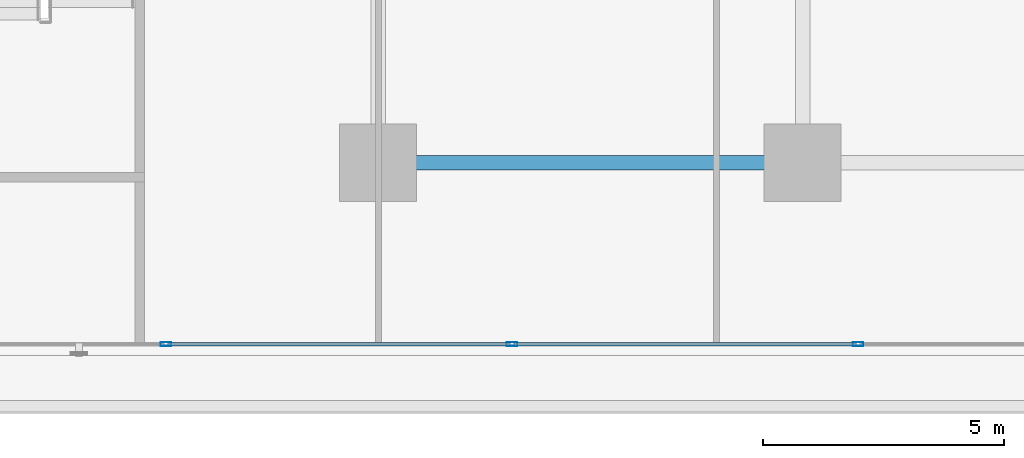
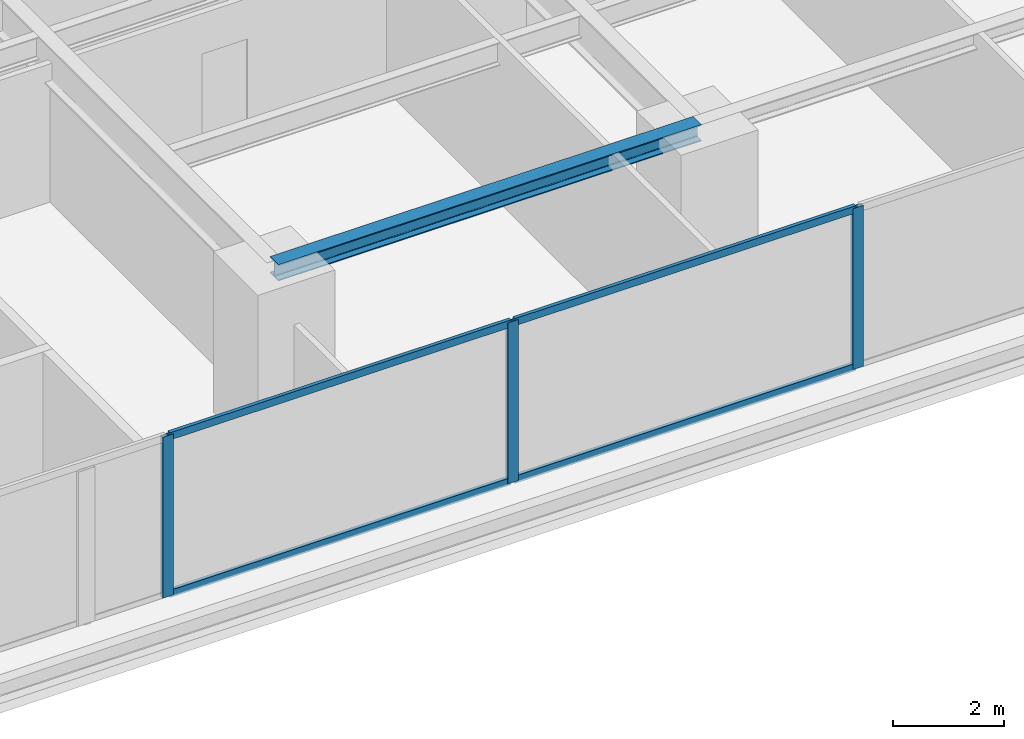
# One storey, part 9 of 29: 7 members, 1 beam, 1 element without a shape of its own.
"""IFC4 building model written with IfcOpenShell, lengths in metres."""

import ifcopenshell
import ifcopenshell.guid

model = None  # the IFC model being written
_history = None  # IfcOwnerHistory: only IFC2X3 demands one
_inside = {}  # id of a spatial element -> (the spatial element, [elements in it])
_under = {}  # id of a project, library or spatial element -> (it, [spatial elements below it])
_declared = {}  # id of a project -> (the project, [libraries it declares])
_typed = {}  # id of a type object -> (the type object, [elements of that type])
_made_of = {}  # id of a material, layer set ... -> (it, [elements and type objects made of it])


def new_model(schema):
    """Start an empty IFC model of exactly this schema.

    Asked for "IFC4X3", IfcOpenShell would pick the latest addendum, in which some entities
    have other attributes; the version numbers below select the first issue.
    IFC2X3 requires an IfcOwnerHistory on every rooted entity: one is made here for all.
    """
    global model, _history
    if schema == "IFC4X3":
        model = ifcopenshell.file(schema_version=(4, 3, 0, 0))
    else:
        model = ifcopenshell.file(schema=schema)
    _inside.clear()
    _under.clear()
    _declared.clear()
    _typed.clear()
    _made_of.clear()
    _history = None
    if model.schema == "IFC2X3":
        org = make("IfcOrganization", Name="unknown")
        user = make(
            "IfcPersonAndOrganization",
            ThePerson=make("IfcPerson", FamilyName="unknown"),
            TheOrganization=org,
        )
        app = make(
            "IfcApplication",
            ApplicationDeveloper=org,
            Version="unknown",
            ApplicationFullName="unknown",
            ApplicationIdentifier="unknown",
        )
        _history = make(
            "IfcOwnerHistory",
            OwningUser=user,
            OwningApplication=app,
            ChangeAction="ADDED",
            CreationDate=0,
        )
    return model


def make(cls, **values):
    """One entity of the class cls with the attributes given. An attribute that is None is left unset."""
    return model.create_entity(
        cls, **{name: value for name, value in values.items() if value is not None}
    )


def rooted(cls, **values):
    """An entity with a GlobalId (a new one), such as an element, a storey or a relation."""
    return make(cls, GlobalId=ifcopenshell.guid.new(), OwnerHistory=_history, **values)


def si_unit(unit_type, name, prefix=None):
    """IfcSIUnit, for example si_unit("LENGTHUNIT", "METRE", prefix="MILLI")."""
    return make("IfcSIUnit", UnitType=unit_type, Prefix=prefix, Name=name)


def assignment(units):
    """IfcUnitAssignment: the units of a project."""
    return None if units is None else make("IfcUnitAssignment", Units=units)


def point(xyz):
    """IfcCartesianPoint."""
    return None if xyz is None else make("IfcCartesianPoint", Coordinates=xyz)


def direction(xyz):
    """IfcDirection."""
    return None if xyz is None else make("IfcDirection", DirectionRatios=xyz)


def frame(location, z_axis=None, x_axis=None):
    """IfcAxis2Placement3D, a coordinate frame: its origin and axes. An axis left out is left unset."""
    return make(
        "IfcAxis2Placement3D",
        Location=point(location),
        Axis=direction(z_axis),
        RefDirection=direction(x_axis),
    )


def frame_2d(location, x_axis=None):
    """IfcAxis2Placement2D, a coordinate frame in the plane: its origin and x axis."""
    return make(
        "IfcAxis2Placement2D", Location=point(location), RefDirection=direction(x_axis)
    )


def origin():
    """The frame at (0, 0, 0) with its axes left unset."""
    return frame((0.0, 0.0, 0.0))


def origin_with_axes():
    """The frame at (0, 0, 0) with the z axis (0, 0, 1) and the x axis (1, 0, 0) written out."""
    return frame((0.0, 0.0, 0.0), z_axis=(0.0, 0.0, 1.0), x_axis=(1.0, 0.0, 0.0))


def origin_2d():
    """The frame at (0, 0) in the plane with its x axis left unset."""
    return frame_2d((0.0, 0.0))


def place(relative_to, where):
    """IfcLocalPlacement: puts the frame where relative to a parent placement (None: the world)."""
    return make(
        "IfcLocalPlacement", PlacementRelTo=relative_to, RelativePlacement=where
    )


def context(
    kind, dimensions, precision=None, world=None, true_north=None, identifier=None
):
    """IfcGeometricRepresentationContext, for example the 3D "Model" context."""
    return make(
        "IfcGeometricRepresentationContext",
        ContextIdentifier=identifier,
        ContextType=kind,
        CoordinateSpaceDimension=dimensions,
        Precision=precision,
        WorldCoordinateSystem=world,
        TrueNorth=true_north,
    )


def subcontext(parent, identifier, kind, view, scale=None):
    """IfcGeometricRepresentationSubContext, for example "Body" below "Model"."""
    return make(
        "IfcGeometricRepresentationSubContext",
        ContextIdentifier=identifier,
        ContextType=kind,
        ParentContext=parent,
        TargetScale=scale,
        TargetView=view,
    )


def project(units=None, contexts=None):
    """IfcProject with its units and contexts."""
    return rooted(
        "IfcProject",
        Name="project",
        RepresentationContexts=contexts,
        UnitsInContext=assignment(units),
    )


def spatial(cls, under=None, at=None, **own):
    """A site, building, storey or space (cls), placed at a placement, below another one or the project."""
    s = rooted(cls, ObjectPlacement=at, **own)
    if under is not None:
        _under.setdefault(under.id(), (under, []))[1].append(s)
    return s


def profile(cls, at=None, kind="AREA", **sizes):
    """A parametric profile (cls). Its sizes go by their IFC names, for example OverallWidth=200.0."""
    return make(cls, ProfileType=kind, Position=at, **sizes)


def hollow_rectangle(**sizes):
    """IfcRectangleHollowProfileDef."""
    return profile("IfcRectangleHollowProfileDef", **sizes)


def i_section(**sizes):
    """IfcIShapeProfileDef."""
    return profile("IfcIShapeProfileDef", **sizes)


def extrude(swept, where, along, depth):
    """IfcExtrudedAreaSolid: the profile swept, set in the frame where, extruded along a direction by depth."""
    return make(
        "IfcExtrudedAreaSolid",
        SweptArea=swept,
        Position=where,
        ExtrudedDirection=direction(along),
        Depth=depth,
    )


def shape(context_of_items, identifier, shape_type, items):
    """IfcShapeRepresentation: the items that make up one representation, for example the "Body"."""
    return make(
        "IfcShapeRepresentation",
        ContextOfItems=context_of_items,
        RepresentationIdentifier=identifier,
        RepresentationType=shape_type,
        Items=items,
    )


def source(mapping_origin, context_of_items, identifier, shape_type, items):
    """IfcRepresentationMap: a shape defined once, which mapped items show again and again."""
    return make(
        "IfcRepresentationMap",
        MappingOrigin=mapping_origin,
        MappedRepresentation=shape(context_of_items, identifier, shape_type, items),
    )


def transform(
    local_origin,
    x_axis=None,
    y_axis=None,
    z_axis=None,
    scale=None,
    scale2=None,
    scale3=None,
    uniform=True,
):
    """IfcCartesianTransformationOperator3D, or its non-uniform kind. x_axis, y_axis, z_axis: its Axis1, 2, 3."""
    if uniform:
        return make(
            "IfcCartesianTransformationOperator3D",
            Axis1=direction(x_axis),
            Axis2=direction(y_axis),
            LocalOrigin=point(local_origin),
            Scale=scale,
            Axis3=direction(z_axis),
        )
    return make(
        "IfcCartesianTransformationOperator3DnonUniform",
        Axis1=direction(x_axis),
        Axis2=direction(y_axis),
        LocalOrigin=point(local_origin),
        Scale=scale,
        Axis3=direction(z_axis),
        Scale2=scale2,
        Scale3=scale3,
    )


def mapped(mapping_source, mapping_target):
    """IfcMappedItem: shows the shape of a source again, moved by a transform."""
    return make(
        "IfcMappedItem", MappingSource=mapping_source, MappingTarget=mapping_target
    )


def material(Name=None, Category=None):
    """IfcMaterial."""
    return make("IfcMaterial", Name=Name, Category=Category)


def layer(
    of_material, thickness, ventilated=None, Name=None, Category=None, Priority=None
):
    """IfcMaterialLayer: one layer of a wall or slab, of a material (None: an air gap)."""
    return make(
        "IfcMaterialLayer",
        Material=of_material,
        LayerThickness=thickness,
        IsVentilated=ventilated,
        Name=Name,
        Category=Category,
        Priority=Priority,
    )


def layer_set(layers, Name=None):
    """IfcMaterialLayerSet."""
    return make("IfcMaterialLayerSet", MaterialLayers=layers, LayerSetName=Name)


def material_profile(
    of_material, cross_section, Name=None, Category=None, Priority=None
):
    """IfcMaterialProfile: a cross section and its material."""
    return make(
        "IfcMaterialProfile",
        Name=Name,
        Material=of_material,
        Profile=cross_section,
        Priority=Priority,
        Category=Category,
    )


def profile_set(profiles, Name=None, composite=None):
    """IfcMaterialProfileSet."""
    return make(
        "IfcMaterialProfileSet",
        Name=Name,
        MaterialProfiles=profiles,
        CompositeProfile=composite,
    )


def made_of(thing, what):
    """Note that an element or type object is made of a material, layer set ...; save() writes the relation."""
    if what is not None:
        _made_of.setdefault(what.id(), (what, []))[1].append(thing)
    return thing


def type_object(cls, material=None, **own):
    """A type object (cls), such as IfcWallType, which elements share."""
    return made_of(rooted(cls, **own), material)


def element(
    cls,
    number,
    at=None,
    inside=None,
    cuts=None,
    type_object=None,
    material=None,
    context=None,
    identifier="Body",
    shape_type=None,
    held_by="IfcProductDefinitionShape",
    body=None,
    shapes=None,
    **own,
):
    """One element of the class cls, such as IfcWall. Its Tag is "e" and its number.

    at: its placement. inside: the storey or other place that contains it. cuts: it is an
    opening in that element (IfcRelVoidsElement). A single representation is given by context,
    identifier, shape_type and body (its items); several are given by shapes. held_by: the class
    of the entity that holds the representations. save() writes the other relations.
    """
    e = rooted(cls, Tag="e%d" % number, ObjectPlacement=at, **own)
    if body is not None:
        shapes = [shape(context, identifier, shape_type, body)]
    if shapes is not None:
        e.Representation = make(held_by, Representations=shapes)
    if inside is not None:
        _inside.setdefault(inside.id(), (inside, []))[1].append(e)
    if cuts is not None:
        rooted(
            "IfcRelVoidsElement", RelatingBuildingElement=cuts, RelatedOpeningElement=e
        )
    if type_object is not None:
        _typed.setdefault(type_object.id(), (type_object, []))[1].append(e)
    return made_of(e, material)


def aggregate(whole, parts):
    """IfcRelAggregates: a whole, such as a stair, and the parts it consists of."""
    return rooted("IfcRelAggregates", RelatingObject=whole, RelatedObjects=parts)


def save(model, path):
    """Write the relations noted so far, then the file.

    IfcRelAggregates (storeys below a building ...), IfcRelContainedInSpatialStructure (elements
    in a storey), IfcRelDefinesByType, IfcRelAssociatesMaterial and IfcRelDeclares: one each for
    every whole, place, type object, material and project.
    """
    for whole, parts in _under.values():
        aggregate(whole, parts)
    for where, things in _inside.values():
        rooted(
            "IfcRelContainedInSpatialStructure",
            RelatedElements=things,
            RelatingStructure=where,
        )
    for kind, things in _typed.values():
        rooted("IfcRelDefinesByType", RelatedObjects=things, RelatingType=kind)
    for what, things in _made_of.values():
        rooted("IfcRelAssociatesMaterial", RelatedObjects=things, RelatingMaterial=what)
    for by, libraries in _declared.values():
        rooted("IfcRelDeclares", RelatingContext=by, RelatedDefinitions=libraries)
    model.write(path)


model = new_model("IFC4")

# Units and contexts
model_context = context("Model", 3, precision=1e-05, world=origin(), true_north=direction((0.0, 1.0)))
body_context = subcontext(model_context, "Body", "Model", "MODEL_VIEW")
ifc_project = project(units=[si_unit("LENGTHUNIT", "METRE"), si_unit("AREAUNIT", "SQUARE_METRE"), si_unit("VOLUMEUNIT", "CUBIC_METRE"), si_unit("PLANEANGLEUNIT", "RADIAN"), si_unit("MASSUNIT", "GRAM", prefix="KILO")], contexts=[model_context])

# Site, building, storey
site_placement = place(None, origin())
site = spatial("IfcSite", under=ifc_project, at=site_placement, CompositionType="ELEMENT")
building_placement = place(site_placement, origin())
building = spatial("IfcBuilding", under=site, at=building_placement, Name="Kolvaren Waterfront Exchange", CompositionType="ELEMENT")
storey_placement = place(building_placement, frame((0.0, 0.0, 29.60009765625)))
storey = spatial("IfcBuildingStorey", under=building, at=storey_placement, Name="L07", CompositionType="ELEMENT", Elevation=29.60009765625)

# Beam
ifc_material_1 = material(Name="Steel S355", Category="steel")
ifc_material_profile_1 = material_profile(ifc_material_1, i_section(OverallWidth=0.300048828125, OverallDepth=0.360107421875, WebThickness=0.012451171875, FlangeThickness=0.0224609375, FilletRadius=0.027099609375, at=origin_2d()), Name="HEB360")
ifc_profile_set_1 = profile_set([ifc_material_profile_1], Name="Steel S355")
beam_type = type_object("IfcBeamType", Name="STR-BM-HEB360", PredefinedType="SPANDREL", material=ifc_profile_set_1)
beam_placement = place(storey_placement, frame((36.800048828125, 5.199951171875, 3.35986328125), z_axis=(1.0, 0.0, 0.0), x_axis=(0.0, 1.0, 0.0)))
element("IfcBeam", 1, at=beam_placement, inside=storey, type_object=beam_type, Name="L07 east-arm spandrel S3", PredefinedType="SPANDREL", context=body_context, shape_type="SweptSolid", body=[
    extrude(i_section(OverallWidth=0.300048828125, OverallDepth=0.360107421875, WebThickness=0.012451171875, FlangeThickness=0.0224609375, FilletRadius=0.027099609375, at=origin_2d()), origin(), (0.0, 0.0, 1.0), 8.800048828125),
])

# Curtain wall, members
ifc_material_2 = material(Name="Anodised bronze aluminium 6063-T6", Category="aluminium")
ifc_layer = layer(ifc_material_2, 0.219970703125, Name="Anodised bronze aluminium 6063-T6")
ifc_layer_set = layer_set([ifc_layer], Name="Anodised bronze aluminium 6063-T6")
curtain_wall_type = type_object("IfcCurtainWallType", Name="ARC-CW-SYS1", PredefinedType="USERDEFINED", material=ifc_layer_set)
curtain_wall_placement = place(storey_placement, origin())
curtain_wall = element("IfcCurtainWall", 2, at=curtain_wall_placement, inside=storey, type_object=curtain_wall_type, Name="L07 stick curtain wall CW1 (CW-L07-S)", ObjectType="STICK CURTAIN WALL", PredefinedType="USERDEFINED")
ifc_material_3 = material(Name="Anodised aluminium 6063-T6", Category="aluminium")
ifc_material_profile_2 = material_profile(ifc_material_3, hollow_rectangle(XDim=0.080078125, YDim=0.219970703125, WallThickness=0.0048828125, at=origin_2d()), Name="ALU-MUL-220x80x5")
ifc_profile_set_2 = profile_set([ifc_material_profile_2], Name="Anodised aluminium 6063-T6")
member_type_1 = type_object("IfcMemberType", Name="ARC-CWM-220", PredefinedType="MULLION", material=ifc_profile_set_2)
shared_shape_1 = source(origin_with_axes(), body_context, "Body", "SweptSolid", [
    extrude(hollow_rectangle(XDim=0.080078125, YDim=0.219970703125, WallThickness=0.0048828125, at=origin_2d()), origin(), (0.0, 0.0, 1.0), 3.539794921875),
])
member_1_placement = place(storey_placement, frame((32.39990234375, 1.43994140625, 0.0), z_axis=(0.0, 0.0, 1.0), x_axis=(0.0, 1.0, 0.0)))
member_1 = element("IfcMember", 3, at=member_1_placement, type_object=member_type_1, Name="CW1 mullion 5", PredefinedType="MULLION", context=body_context, shape_type="MappedRepresentation", body=[
    mapped(shared_shape_1, transform((0.0, 0.0, 0.0), x_axis=(1.0, 0.0, 0.0), y_axis=(0.0, 1.0, 0.0), z_axis=(0.0, 0.0, 1.0), scale=1.0)),
])
member_2_placement = place(storey_placement, frame((39.574951171875, 1.43994140625, 0.0), z_axis=(0.0, 0.0, 1.0), x_axis=(0.0, 1.0, 0.0)))
member_2 = element("IfcMember", 4, at=member_2_placement, type_object=member_type_1, Name="CW1 mullion 6", PredefinedType="MULLION", context=body_context, shape_type="MappedRepresentation", body=[
    mapped(shared_shape_1, transform((0.0, 0.0, 0.0), x_axis=(1.0, 0.0, 0.0), y_axis=(0.0, 1.0, 0.0), z_axis=(0.0, 0.0, 1.0), scale=1.0)),
])
member_3_placement = place(storey_placement, frame((46.75, 1.43994140625, 0.0), z_axis=(0.0, 0.0, 1.0), x_axis=(0.0, 1.0, 0.0)))
member_3 = element("IfcMember", 5, at=member_3_placement, type_object=member_type_1, Name="CW1 mullion 7", PredefinedType="MULLION", context=body_context, shape_type="MappedRepresentation", body=[
    mapped(shared_shape_1, transform((0.0, 0.0, 0.0), x_axis=(1.0, 0.0, 0.0), y_axis=(0.0, 1.0, 0.0), z_axis=(0.0, 0.0, 1.0), scale=1.0)),
])
ifc_material_profile_3 = material_profile(ifc_material_3, hollow_rectangle(XDim=0.074951171875, YDim=0.159912109375, WallThickness=0.00439453125, at=origin_2d()), Name="ALU-TRN-160x75x4.5")
ifc_profile_set_3 = profile_set([ifc_material_profile_3], Name="Anodised aluminium 6063-T6")
member_type_2 = type_object("IfcMemberType", Name="ARC-CWT-160", PredefinedType="USERDEFINED", material=ifc_profile_set_3)
shared_shape_2 = source(origin_with_axes(), body_context, "Body", "SweptSolid", [
    extrude(hollow_rectangle(XDim=0.074951171875, YDim=0.159912109375, WallThickness=0.00439453125, at=origin_2d()), origin(), (0.0, 0.0, 1.0), 7.094970703125),
])
member_4_placement = place(storey_placement, frame((32.43994140625, 1.43994140625, 0.037353515625), z_axis=(1.0, 0.0, 0.0), x_axis=(0.0, 1.0, 0.0)))
member_4 = element("IfcMember", 6, at=member_4_placement, type_object=member_type_2, Name="CW1 transom 5.1", ObjectType="TRANSOM", PredefinedType="USERDEFINED", context=body_context, shape_type="MappedRepresentation", body=[
    mapped(shared_shape_2, transform((0.0, 0.0, 0.0), x_axis=(1.0, 0.0, 0.0), y_axis=(0.0, 1.0, 0.0), z_axis=(0.0, 0.0, 1.0), scale=1.0)),
])
member_5_placement = place(storey_placement, frame((32.43994140625, 1.43994140625, 3.50244140625), z_axis=(1.0, 0.0, 0.0), x_axis=(0.0, 1.0, 0.0)))
member_5 = element("IfcMember", 7, at=member_5_placement, type_object=member_type_2, Name="CW1 transom 5.2", ObjectType="TRANSOM", PredefinedType="USERDEFINED", context=body_context, shape_type="MappedRepresentation", body=[
    mapped(shared_shape_2, transform((0.0, 0.0, 0.0), x_axis=(1.0, 0.0, 0.0), y_axis=(0.0, 1.0, 0.0), z_axis=(0.0, 0.0, 1.0), scale=1.0)),
])
member_6_placement = place(storey_placement, frame((39.614990234375, 1.43994140625, 0.037353515625), z_axis=(1.0, 0.0, 0.0), x_axis=(0.0, 1.0, 0.0)))
member_6 = element("IfcMember", 8, at=member_6_placement, type_object=member_type_2, Name="CW1 transom 6.1", ObjectType="TRANSOM", PredefinedType="USERDEFINED", context=body_context, shape_type="MappedRepresentation", body=[
    mapped(shared_shape_2, transform((0.0, 0.0, 0.0), x_axis=(1.0, 0.0, 0.0), y_axis=(0.0, 1.0, 0.0), z_axis=(0.0, 0.0, 1.0), scale=1.0)),
])
member_7_placement = place(storey_placement, frame((39.614990234375, 1.43994140625, 3.50244140625), z_axis=(1.0, 0.0, 0.0), x_axis=(0.0, 1.0, 0.0)))
member_7 = element("IfcMember", 9, at=member_7_placement, type_object=member_type_2, Name="CW1 transom 6.2", ObjectType="TRANSOM", PredefinedType="USERDEFINED", context=body_context, shape_type="MappedRepresentation", body=[
    mapped(shared_shape_2, transform((0.0, 0.0, 0.0), x_axis=(1.0, 0.0, 0.0), y_axis=(0.0, 1.0, 0.0), z_axis=(0.0, 0.0, 1.0), scale=1.0)),
])
aggregate(curtain_wall, [member_1, member_2, member_3, member_4, member_5, member_6, member_7])

save(model, "model.ifc")
